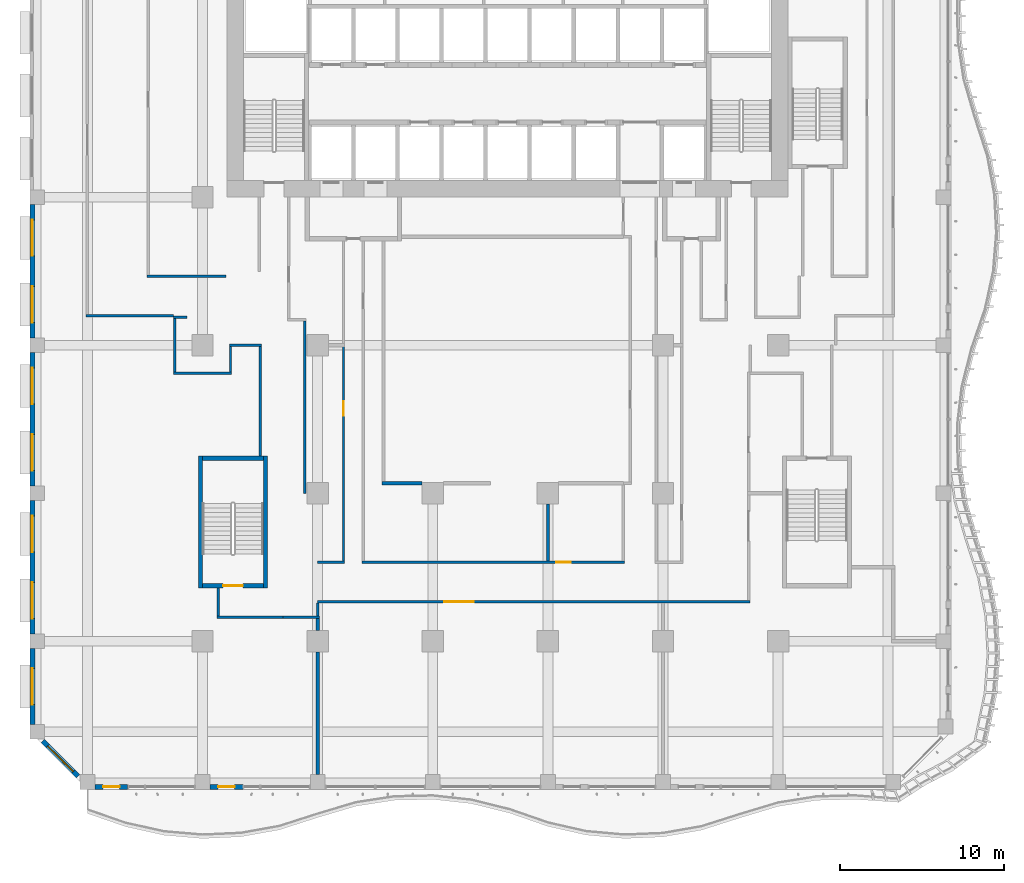
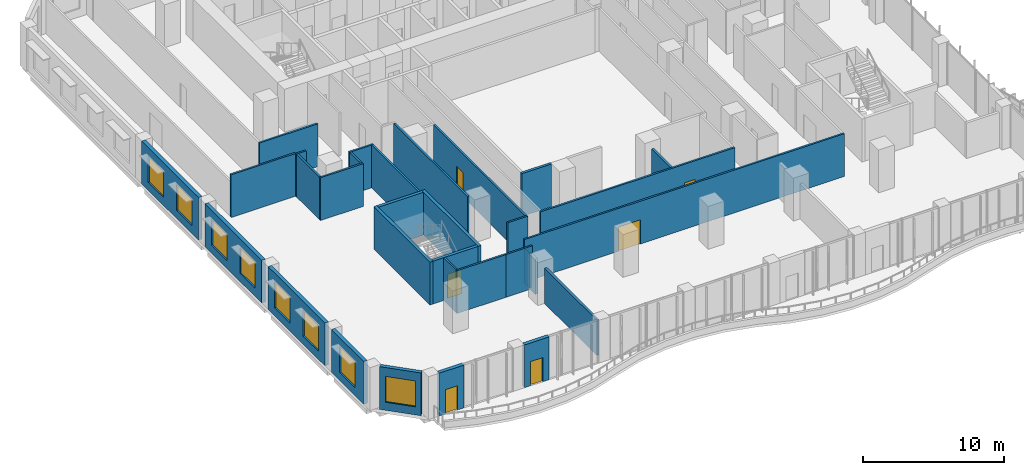
# One storey, part 10 of 27: 32 walls, 8 windows, 6 doors, 14 openings.
"""IFC4 building model written with IfcOpenShell, lengths in metres."""

from ifc_helpers import new_model, si_unit, direction, frame, frame_2d, origin, place, context, subcontext, project, spatial, rectangle, extrude, source, transform, mapped, material, layer, layer_set, type_object, element, fill, save


model = new_model("IFC4")

# Units and contexts
model_context = context("Model", 3, precision=1e-05, world=origin(), true_north=direction((0.0, 1.0)))
body_context = subcontext(model_context, "Body", "Model", "MODEL_VIEW")
ifc_project = project(units=[si_unit("LENGTHUNIT", "METRE"), si_unit("AREAUNIT", "SQUARE_METRE"), si_unit("VOLUMEUNIT", "CUBIC_METRE"), si_unit("PLANEANGLEUNIT", "RADIAN"), si_unit("MASSUNIT", "GRAM", prefix="KILO")], contexts=[model_context])

# Site, building, storey
site_placement = place(None, origin())
site = spatial("IfcSite", under=ifc_project, at=site_placement, CompositionType="ELEMENT")
building_placement = place(site_placement, origin())
building = spatial("IfcBuilding", under=site, at=building_placement, Name="Kilnfold Tower and Market Hall", CompositionType="ELEMENT")
storey_placement = place(building_placement, frame((0.0, 0.0, 47.0)))
storey = spatial("IfcBuildingStorey", under=building, at=storey_placement, Name="L10", CompositionType="ELEMENT", Elevation=47.0)

# Wall
ifc_material_1 = material(Name="Gypsum board on steel studs", Category="steel")
ifc_layer_1 = layer(ifc_material_1, 0.14990234375)
ifc_layer_set_1 = layer_set([ifc_layer_1], Name="Gypsum board on steel studs")
wall_type_1 = type_object("IfcWallType", Name="WALL CORRIDOR 150", PredefinedType="PARTITIONING", material=ifc_layer_set_1)
wall_1_placement = place(storey_placement, frame((-20.875, 3.199951171875, 0.0), z_axis=(0.0, 0.0, 1.0), x_axis=(1.0, 0.0, 0.0)))
element("IfcWall", 1, at=wall_1_placement, inside=storey, type_object=wall_type_1, Name="Partition LY09.2", PredefinedType="PARTITIONING", context=body_context, shape_type="SweptSolid", body=[
    extrude(rectangle(XDim=4.81494140625, YDim=0.14990234375, at=frame_2d((2.407470703125, 0.0))), origin(), (0.0, 0.0, 1.0), 3.719970703125),
])

# Wall, opening, door
wall_2_placement = place(storey_placement, frame((-7.804931640625, -14.199951171875, 0.0), z_axis=(0.0, 0.0, 1.0), x_axis=(1.0, 0.0, 0.0)))
wall_2 = element("IfcWall", 2, at=wall_2_placement, inside=storey, type_object=wall_type_1, Name="Partition LY09.8", PredefinedType="PARTITIONING", context=body_context, shape_type="SweptSolid", body=[
    extrude(rectangle(XDim=15.969970703125, YDim=0.14990234375, at=frame_2d((7.98486328125, 0.0))), origin(), (0.0, 0.0, 1.0), 3.719970703125),
])
opening_1_placement = place(wall_2_placement, frame((11.802001953125, 0.0, 0.0)))
opening_1 = element("IfcOpeningElement", 3, at=opening_1_placement, cuts=wall_2, Name="Opening D2", PredefinedType="OPENING", context=body_context, shape_type="SweptSolid", body=[
    extrude(rectangle(XDim=0.89990234375, YDim=2.10009765625, at=frame_2d((0.449951171875, 1.050048828125))), frame((0.0, 0.0849609375, 0.0), z_axis=(0.0, -1.0, 0.0), x_axis=(1.0, 0.0, 0.0)), (0.0, 0.0, 1.0), 0.169921875),
])
ifc_material_2 = material(Name="Timber veneer door leaf in steel frame", Category="steel")
door_type_1 = type_object("IfcDoorType", Name="DOOR ROOM 900 X2100", OperationType="NOTDEFINED", PredefinedType="DOOR", material=ifc_material_2)
door_1_placement = place(opening_1_placement, origin())
door_1 = element("IfcDoor", 4, at=door_1_placement, inside=storey, type_object=door_type_1, Name="Door D2", OperationType="SINGLE_SWING_LEFT", OverallHeight=2.10009765625, OverallWidth=0.89990234375, PredefinedType="DOOR", context=body_context, shape_type="SweptSolid", body=[
    extrude(rectangle(XDim=0.89990234375, YDim=2.10009765625, at=frame_2d((0.449951171875, 1.050048828125))), frame((0.0, 0.02490234375, 0.0), z_axis=(0.0, -1.0, 0.0), x_axis=(1.0, 0.0, 0.0)), (0.0, 0.0, 1.0), 0.050048828125),
])
fill(opening_1, door_1)

# Walls
wall_3_placement = place(storey_placement, frame((-11.300048828125, -10.010009765625, 0.0), z_axis=(0.0, 0.0, 1.0), x_axis=(0.0, 1.0, 0.0)))
element("IfcWall", 5, at=wall_3_placement, inside=storey, type_object=wall_type_1, Name="Partition LY09.9", PredefinedType="PARTITIONING", context=body_context, shape_type="SweptSolid", body=[
    extrude(rectangle(XDim=10.485107421875, YDim=0.14990234375, at=frame_2d((5.24267578125, 0.0))), origin(), (0.0, 0.0, 1.0), 3.719970703125),
])
wall_4_placement = place(storey_placement, frame((-10.510009765625, -14.199951171875, 0.0), z_axis=(0.0, 0.0, 1.0), x_axis=(1.0, 0.0, 0.0)))
element("IfcWall", 6, at=wall_4_placement, inside=storey, type_object=wall_type_1, Name="Partition LY09.10", PredefinedType="PARTITIONING", context=body_context, shape_type="SweptSolid", body=[
    extrude(rectangle(XDim=1.655029296875, YDim=0.14990234375, at=frame_2d((0.82763671875, 0.0))), origin(), (0.0, 0.0, 1.0), 3.719970703125),
])

# Wall, opening, door
wall_5_placement = place(storey_placement, frame((-8.929931640625, -14.125, 0.0), z_axis=(0.0, 0.0, 1.0), x_axis=(0.0, 1.0, 0.0)))
wall_5 = element("IfcWall", 7, at=wall_5_placement, inside=storey, type_object=wall_type_1, Name="Partition LY09.11", PredefinedType="PARTITIONING", context=body_context, shape_type="SweptSolid", body=[
    extrude(rectangle(XDim=13.034912109375, YDim=0.14990234375, at=frame_2d((6.517578125, 0.0))), origin(), (0.0, 0.0, 1.0), 3.719970703125),
])
opening_2_placement = place(wall_5_placement, frame((8.825927734375, 0.0, 0.0)))
opening_2 = element("IfcOpeningElement", 8, at=opening_2_placement, cuts=wall_5, Name="Opening D2", PredefinedType="OPENING", context=body_context, shape_type="SweptSolid", body=[
    extrude(rectangle(XDim=0.89990234375, YDim=2.10009765625, at=frame_2d((0.449951171875, 1.050048828125))), frame((0.0, 0.0849609375, 0.0), z_axis=(0.0, -1.0, 0.0), x_axis=(1.0, 0.0, 0.0)), (0.0, 0.0, 1.0), 0.169921875),
])
door_2_placement = place(opening_2_placement, origin())
door_2 = element("IfcDoor", 9, at=door_2_placement, inside=storey, type_object=door_type_1, Name="Door D2", OperationType="SINGLE_SWING_RIGHT", OverallHeight=2.10009765625, OverallWidth=0.89990234375, PredefinedType="DOOR", context=body_context, shape_type="SweptSolid", body=[
    extrude(rectangle(XDim=0.89990234375, YDim=2.10009765625, at=frame_2d((0.449951171875, 1.050048828125))), frame((0.0, 0.02490234375, 0.0), z_axis=(0.0, -1.0, 0.0), x_axis=(1.0, 0.0, 0.0)), (0.0, 0.0, 1.0), 0.050048828125),
])
fill(opening_2, door_2)

# Walls
wall_6_placement = place(storey_placement, frame((-16.625, -17.550048828125, 0.0), z_axis=(0.0, 0.0, 1.0), x_axis=(1.0, 0.0, 0.0)))
element("IfcWall", 10, at=wall_6_placement, inside=storey, type_object=wall_type_1, Name="Partition LY09.30", PredefinedType="PARTITIONING", context=body_context, shape_type="SweptSolid", body=[
    extrude(rectangle(XDim=4.02294921875, YDim=0.14990234375, at=frame_2d((2.011474609375, 0.0))), origin(), (0.0, 0.0, 1.0), 3.719970703125),
])
wall_7_placement = place(storey_placement, frame((-16.550048828125, -15.75, 0.0), z_axis=(0.0, 0.0, 1.0), x_axis=(0.0, -1.0, 0.0)))
element("IfcWall", 11, at=wall_7_placement, inside=storey, type_object=wall_type_1, Name="Partition LY09.31", PredefinedType="PARTITIONING", context=body_context, shape_type="SweptSolid", body=[
    extrude(rectangle(XDim=1.72509765625, YDim=0.14990234375, at=frame_2d((0.862548828125, 0.0))), origin(), (0.0, 0.0, 1.0), 3.719970703125),
])
wall_8_placement = place(storey_placement, frame((-14.0, -1.074951171875, 0.0), z_axis=(0.0, 0.0, 1.0), x_axis=(0.0, -1.0, 0.0)))
element("IfcWall", 12, at=wall_8_placement, inside=storey, type_object=wall_type_1, Name="Partition LY09.32", PredefinedType="PARTITIONING", context=body_context, shape_type="SweptSolid", body=[
    extrude(rectangle(XDim=6.675048828125, YDim=0.14990234375, at=frame_2d((3.33740234375, 0.0))), origin(), (0.0, 0.0, 1.0), 3.719970703125),
])
wall_9_placement = place(storey_placement, frame((-15.875, -1.0, 0.0), z_axis=(0.0, 0.0, 1.0), x_axis=(1.0, 0.0, 0.0)))
element("IfcWall", 13, at=wall_9_placement, inside=storey, type_object=wall_type_1, Name="Partition LY09.33", PredefinedType="PARTITIONING", context=body_context, shape_type="SweptSolid", body=[
    extrude(rectangle(XDim=1.949951171875, YDim=0.14990234375, at=frame_2d((0.97509765625, 0.0))), origin(), (0.0, 0.0, 1.0), 3.719970703125),
])
wall_10_placement = place(storey_placement, frame((-15.800048828125, -2.625, 0.0), z_axis=(0.0, 0.0, 1.0), x_axis=(0.0, 1.0, 0.0)))
element("IfcWall", 14, at=wall_10_placement, inside=storey, type_object=wall_type_1, Name="Partition LY09.34", PredefinedType="PARTITIONING", context=body_context, shape_type="SweptSolid", body=[
    extrude(rectangle(XDim=1.550048828125, YDim=0.14990234375, at=frame_2d((0.77490234375, 0.0))), origin(), (0.0, 0.0, 1.0), 3.719970703125),
])
wall_11_placement = place(storey_placement, frame((-19.27490234375, -2.699951171875, 0.0), z_axis=(0.0, 0.0, 1.0), x_axis=(1.0, 0.0, 0.0)))
element("IfcWall", 15, at=wall_11_placement, inside=storey, type_object=wall_type_1, Name="Partition LY09.35", PredefinedType="PARTITIONING", context=body_context, shape_type="SweptSolid", body=[
    extrude(rectangle(XDim=3.5498046875, YDim=0.14990234375, at=frame_2d((1.77490234375, 0.0))), origin(), (0.0, 0.0, 1.0), 3.719970703125),
])
wall_12_placement = place(storey_placement, frame((-19.199951171875, 0.625, 0.0), z_axis=(0.0, 0.0, 1.0), x_axis=(0.0, -1.0, 0.0)))
element("IfcWall", 16, at=wall_12_placement, inside=storey, type_object=wall_type_1, Name="Partition LY09.36", PredefinedType="PARTITIONING", context=body_context, shape_type="SweptSolid", body=[
    extrude(rectangle(XDim=3.25, YDim=0.14990234375, at=frame_2d((1.625, 0.0))), origin(), (0.0, 0.0, 1.0), 3.719970703125),
])
wall_13_placement = place(storey_placement, frame((-19.27490234375, 0.699951171875, 0.0), z_axis=(0.0, 0.0, 1.0), x_axis=(1.0, 0.0, 0.0)))
element("IfcWall", 17, at=wall_13_placement, inside=storey, type_object=wall_type_1, Name="Partition LY09.37", PredefinedType="PARTITIONING", context=body_context, shape_type="SweptSolid", body=[
    extrude(rectangle(XDim=0.81494140625, YDim=0.14990234375, at=frame_2d((0.407470703125, 0.0))), origin(), (0.0, 0.0, 1.0), 3.719970703125),
])
wall_14_placement = place(storey_placement, frame((-24.574951171875, 0.800048828125, 0.0), z_axis=(0.0, 0.0, 1.0), x_axis=(1.0, 0.0, 0.0)))
element("IfcWall", 18, at=wall_14_placement, inside=storey, type_object=wall_type_1, Name="Partition LY09.38", PredefinedType="PARTITIONING", context=body_context, shape_type="SweptSolid", body=[
    extrude(rectangle(XDim=5.300048828125, YDim=0.14990234375, at=frame_2d((2.64990234375, 0.0))), origin(), (0.0, 0.0, 1.0), 3.719970703125),
])
wall_15_placement = place(storey_placement, frame((-12.60205078125, -17.552001953125, 0.0), z_axis=(0.0, 0.0, 1.0), x_axis=(1.0, 0.0, 0.0)))
element("IfcWall", 19, at=wall_15_placement, inside=storey, type_object=wall_type_1, Name="Partition LY09.40", PredefinedType="PARTITIONING", context=body_context, shape_type="SweptSolid", body=[
    extrude(rectangle(XDim=2.2041015625, YDim=0.14990234375, at=frame_2d((1.10205078125, 0.0))), origin(), (0.0, 0.0, 1.0), 3.719970703125),
])

# Wall, opening, door
wall_16_placement = place(storey_placement, frame((-10.510009765625, -16.60009765625, 0.0), z_axis=(0.0, 0.0, 1.0), x_axis=(1.0, 0.0, 0.0)))
wall_16 = element("IfcWall", 20, at=wall_16_placement, inside=storey, type_object=wall_type_1, Name="Partition LY09.41", PredefinedType="PARTITIONING", context=body_context, shape_type="SweptSolid", body=[
    extrude(rectangle(XDim=26.284912109375, YDim=0.14990234375, at=frame_2d((13.142578125, 0.0))), origin(), (0.0, 0.0, 1.0), 3.719970703125),
])
opening_3_placement = place(wall_16_placement, frame((7.7080078125, 0.0, 0.0)))
opening_3 = element("IfcOpeningElement", 21, at=opening_3_placement, cuts=wall_16, Name="Opening D5", PredefinedType="OPENING", context=body_context, shape_type="SweptSolid", body=[
    extrude(rectangle(XDim=1.800048828125, YDim=2.10009765625, at=frame_2d((0.89990234375, 1.050048828125))), frame((0.0, 0.0849609375, 0.0), z_axis=(0.0, -1.0, 0.0), x_axis=(1.0, 0.0, 0.0)), (0.0, 0.0, 1.0), 0.169921875),
])
ifc_material_3 = material(Name="Timber veneer door leaf in steel frame", Category="steel")
door_type_2 = type_object("IfcDoorType", Name="DOOR DOUBLE 1800 X2100", OperationType="NOTDEFINED", PredefinedType="DOOR", material=ifc_material_3)
door_3_placement = place(opening_3_placement, origin())
door_3 = element("IfcDoor", 22, at=door_3_placement, inside=storey, type_object=door_type_2, Name="Door D5", OperationType="DOUBLE_DOOR_SINGLE_SWING", OverallHeight=2.10009765625, OverallWidth=1.800048828125, PredefinedType="DOOR", context=body_context, shape_type="SweptSolid", body=[
    extrude(rectangle(XDim=1.800048828125, YDim=2.10009765625, at=frame_2d((0.89990234375, 1.050048828125))), frame((0.0, 0.02490234375, 0.0), z_axis=(0.0, -1.0, 0.0), x_axis=(1.0, 0.0, 0.0)), (0.0, 0.0, 1.0), 0.050048828125),
])
fill(opening_3, door_3)

# Walls
wall_17_placement = place(storey_placement, frame((-10.498046875, -17.47705078125, 0.0), z_axis=(0.0, 0.0, 1.0), x_axis=(0.0, 1.0, 0.0)))
element("IfcWall", 23, at=wall_17_placement, inside=storey, type_object=wall_type_1, Name="Partition LY09.42", PredefinedType="PARTITIONING", context=body_context, shape_type="SweptSolid", body=[
    extrude(rectangle(XDim=0.802001953125, YDim=0.14990234375, at=frame_2d((0.40087890625, 0.0))), origin(), (0.0, 0.0, 1.0), 3.070068359375),
])
ifc_material_4 = material(Name="Gypsum board on steel studs", Category="steel")
ifc_layer_2 = layer(ifc_material_4, 0.199951171875)
ifc_layer_set_2 = layer_set([ifc_layer_2], Name="Gypsum board on steel studs")
wall_type_2 = type_object("IfcWallType", Name="WALL PARTY 200", PredefinedType="PARTITIONING", material=ifc_layer_set_2)
wall_18_placement = place(storey_placement, frame((3.5, -14.1240234375, 0.0), z_axis=(0.0, 0.0, 1.0), x_axis=(0.0, 1.0, 0.0)))
element("IfcWall", 24, at=wall_18_placement, inside=storey, type_object=wall_type_2, Name="Partition LY09.61", PredefinedType="PARTITIONING", context=body_context, shape_type="SweptSolid", body=[
    extrude(rectangle(XDim=3.47412109375, YDim=0.199951171875, at=frame_2d((1.737060546875, 0.0))), origin(), (0.0, 0.0, 1.0), 3.070068359375),
])
wall_19_placement = place(storey_placement, frame((-6.60009765625, -9.39990234375, 0.0), z_axis=(0.0, 0.0, 1.0), x_axis=(1.0, 0.0, 0.0)))
element("IfcWall", 25, at=wall_19_placement, inside=storey, type_object=wall_type_2, Name="Partition LY09.63", PredefinedType="PARTITIONING", context=body_context, shape_type="SweptSolid", body=[
    extrude(rectangle(XDim=2.4501953125, YDim=0.199951171875, at=frame_2d((1.22509765625, 0.0))), origin(), (0.0, 0.0, 1.0), 3.719970703125),
])
wall_20_placement = place(storey_placement, frame((-10.5, -18.35009765625, 0.0), z_axis=(0.0, 0.0, 1.0), x_axis=(0.0, 1.0, 0.0)))
element("IfcWall", 26, at=wall_20_placement, inside=storey, type_object=wall_type_2, Name="Partition LY09.67", PredefinedType="PARTITIONING", context=body_context, shape_type="SweptSolid", body=[
    extrude(rectangle(XDim=0.72314453125, YDim=0.199951171875, at=frame_2d((0.361572265625, 0.0))), origin(), (0.0, 0.0, 1.0), 3.070068359375),
])
wall_21_placement = place(storey_placement, frame((-10.5, -27.10009765625, 0.0), z_axis=(0.0, 0.0, 1.0), x_axis=(0.0, 1.0, 0.0)))
element("IfcWall", 27, at=wall_21_placement, inside=storey, type_object=wall_type_2, Name="Partition LY09.68", PredefinedType="PARTITIONING", context=body_context, shape_type="SweptSolid", body=[
    extrude(rectangle(XDim=7.4501953125, YDim=0.199951171875, at=frame_2d((3.72509765625, 0.0))), origin(), (0.0, 0.0, 1.0), 3.070068359375),
])

# Wall, opening, door
ifc_material_5 = material(Name="Concrete C80", Category="concrete")
ifc_layer_3 = layer(ifc_material_5, 0.25)
ifc_layer_set_3 = layer_set([ifc_layer_3], Name="Concrete C80")
wall_type_3 = type_object("IfcWallType", Name="CORE WALL 250 C80", PredefinedType="SHEAR", material=ifc_layer_set_3)
shared_shape_1 = source(origin(), body_context, "Body", "SweptSolid", [
    extrude(rectangle(XDim=3.699951171875, YDim=0.25, at=frame_2d((1.85009765625, 0.0))), origin(), (0.0, 0.0, 1.0), 3.719970703125),
])
wall_22_placement = place(storey_placement, frame((-17.5, -15.625, 0.0), z_axis=(0.0, 0.0, 1.0), x_axis=(1.0, 0.0, 0.0)))
wall_22 = element("IfcWall", 28, at=wall_22_placement, inside=storey, type_object=wall_type_3, Name="Stair enclosure ST3", PredefinedType="SHEAR", context=body_context, shape_type="MappedRepresentation", body=[
    mapped(shared_shape_1, transform((0.0, 0.0, 0.0))),
])
opening_4_placement = place(wall_22_placement, frame((1.25, 0.0, 0.0)))
opening_4 = element("IfcOpeningElement", 29, at=opening_4_placement, cuts=wall_22, Name="Opening SD1", PredefinedType="OPENING", context=body_context, shape_type="SweptSolid", body=[
    extrude(rectangle(XDim=1.199951171875, YDim=2.10009765625, at=frame_2d((0.60009765625, 1.050048828125))), frame((0.0, 0.135009765625, 0.0), z_axis=(0.0, -1.0, 0.0), x_axis=(1.0, 0.0, 0.0)), (0.0, 0.0, 1.0), 0.27001953125),
])
ifc_material_6 = material(Name="Steel door set with fire-resisting leaf", Category="steel")
door_type_3 = type_object("IfcDoorType", Name="STAIR FLOOR DOOR 1200X2100", OperationType="NOTDEFINED", PredefinedType="DOOR", material=ifc_material_6)
door_4_placement = place(opening_4_placement, origin())
door_4 = element("IfcDoor", 30, at=door_4_placement, inside=storey, type_object=door_type_3, Name="Exit stair ST3 door", OperationType="DOUBLE_DOOR_SINGLE_SWING", OverallHeight=2.10009765625, OverallWidth=1.199951171875, PredefinedType="DOOR", context=body_context, shape_type="SweptSolid", body=[
    extrude(rectangle(XDim=1.199951171875, YDim=2.10009765625, at=frame_2d((0.60009765625, 1.050048828125))), frame((0.0, 0.02490234375, 0.0), z_axis=(0.0, -1.0, 0.0), x_axis=(1.0, 0.0, 0.0)), (0.0, 0.0, 1.0), 0.050048828125),
])
fill(opening_4, door_4)

# Walls
wall_23_placement = place(storey_placement, frame((-17.5, -7.875, 0.0), z_axis=(0.0, 0.0, 1.0), x_axis=(1.0, 0.0, 0.0)))
element("IfcWall", 31, at=wall_23_placement, inside=storey, type_object=wall_type_3, Name="Stair enclosure ST3", PredefinedType="SHEAR", context=body_context, shape_type="MappedRepresentation", body=[
    mapped(shared_shape_1, transform((0.0, 0.0, 0.0))),
])
shared_shape_2 = source(origin(), body_context, "Body", "SweptSolid", [
    extrude(rectangle(XDim=8.0, YDim=0.25, at=frame_2d((4.0, 0.0))), origin(), (0.0, 0.0, 1.0), 3.719970703125),
])
for number, where, z_axis, x_axis, name in (
    (32, (-17.625, -15.75, 0.0), (0.0, 0.0, 1.0), (0.0, 1.0, 0.0), "Stair enclosure ST3"),
    (33, (-13.675048828125, -15.75, 0.0), (0.0, 0.0, 1.0), (0.0, 1.0, 0.0), "Stair enclosure ST3"),
):
    element("IfcWall", number, at=place(storey_placement, frame(where, z_axis=z_axis, x_axis=x_axis)), inside=storey, type_object=wall_type_3, Name=name, PredefinedType="SHEAR", context=body_context, shape_type="MappedRepresentation", body=[
        mapped(shared_shape_2, transform((0.0, 0.0, 0.0))),
    ])

# Wall, opening, door
ifc_material_7 = material(Name="Precast concrete C50/60", Category="concrete")
ifc_layer_4 = layer(ifc_material_7, 0.300048828125)
ifc_layer_set_4 = layer_set([ifc_layer_4], Name="Precast concrete C50/60")
wall_type_4 = type_object("IfcWallType", Name="PRECAST WALL 300", PredefinedType="SOLIDWALL", material=ifc_layer_set_4)
shared_shape_3 = source(origin(), body_context, "Body", "SweptSolid", [
    extrude(rectangle(XDim=2.0, YDim=0.300048828125, at=frame_2d((1.0, 0.0))), origin(), (0.0, 0.0, 1.0), 3.719970703125),
])
wall_24_placement = place(storey_placement, frame((-24.050048828125, -27.85009765625, 0.0), z_axis=(0.0, 0.0, 1.0), x_axis=(1.0, 0.0, 0.0)))
wall_24 = element("IfcWall", 34, at=wall_24_placement, inside=storey, type_object=wall_type_4, Name="External wall L10 S", PredefinedType="SOLIDWALL", context=body_context, shape_type="MappedRepresentation", body=[
    mapped(shared_shape_3, transform((0.0, 0.0, 0.0))),
])
opening_5_placement = place(wall_24_placement, frame((0.5, 0.0, 0.0)))
opening_5 = element("IfcOpeningElement", 35, at=opening_5_placement, cuts=wall_24, Name="Opening BD1", PredefinedType="OPENING", context=body_context, shape_type="SweptSolid", body=[
    extrude(rectangle(XDim=1.0, YDim=2.10009765625, at=frame_2d((0.5, 1.050048828125))), frame((0.0, 0.16015625, 0.0), z_axis=(0.0, -1.0, 0.0), x_axis=(1.0, 0.0, 0.0)), (0.0, 0.0, 1.0), 0.320068359375),
])
ifc_material_8 = material(Name="Aluminium frame and double glazing", Category="aluminium")
door_type_4 = type_object("IfcDoorType", Name="BALCONY DOOR 1000X2100", OperationType="NOTDEFINED", PredefinedType="DOOR", material=ifc_material_8)
door_5_placement = place(opening_5_placement, origin())
door_5 = element("IfcDoor", 36, at=door_5_placement, inside=storey, type_object=door_type_4, Name="Balcony door BD1 L10 S-1", OperationType="SINGLE_SWING_LEFT", OverallHeight=2.10009765625, OverallWidth=1.0, PredefinedType="DOOR", context=body_context, shape_type="SweptSolid", body=[
    extrude(rectangle(XDim=1.0, YDim=2.10009765625, at=frame_2d((0.5, 1.050048828125))), frame((0.0, 0.02490234375, 0.0), z_axis=(0.0, -1.0, 0.0), x_axis=(1.0, 0.0, 0.0)), (0.0, 0.0, 1.0), 0.050048828125),
])
fill(opening_5, door_5)

wall_25_placement = place(storey_placement, frame((-17.050048828125, -27.85009765625, 0.0), z_axis=(0.0, 0.0, 1.0), x_axis=(1.0, 0.0, 0.0)))
wall_25 = element("IfcWall", 37, at=wall_25_placement, inside=storey, type_object=wall_type_4, Name="External wall L10 S", PredefinedType="SOLIDWALL", context=body_context, shape_type="MappedRepresentation", body=[
    mapped(shared_shape_3, transform((0.0, 0.0, 0.0))),
])
opening_6_placement = place(wall_25_placement, frame((0.5, 0.0, 0.0)))
opening_6 = element("IfcOpeningElement", 38, at=opening_6_placement, cuts=wall_25, Name="Opening BD1", PredefinedType="OPENING", context=body_context, shape_type="SweptSolid", body=[
    extrude(rectangle(XDim=1.0, YDim=2.10009765625, at=frame_2d((0.5, 1.050048828125))), frame((0.0, 0.16015625, 0.0), z_axis=(0.0, -1.0, 0.0), x_axis=(1.0, 0.0, 0.0)), (0.0, 0.0, 1.0), 0.320068359375),
])
door_6_placement = place(opening_6_placement, origin())
door_6 = element("IfcDoor", 39, at=door_6_placement, inside=storey, type_object=door_type_4, Name="Balcony door BD1 L10 S-1", OperationType="SINGLE_SWING_LEFT", OverallHeight=2.10009765625, OverallWidth=1.0, PredefinedType="DOOR", context=body_context, shape_type="SweptSolid", body=[
    extrude(rectangle(XDim=1.0, YDim=2.10009765625, at=frame_2d((0.5, 1.050048828125))), frame((0.0, 0.02490234375, 0.0), z_axis=(0.0, -1.0, 0.0), x_axis=(1.0, 0.0, 0.0)), (0.0, 0.0, 1.0), 0.050048828125),
])
fill(opening_6, door_6)

# Wall, openings, windows
shared_shape_4 = source(origin(), body_context, "Body", "SweptSolid", [
    extrude(rectangle(XDim=8.10009765625, YDim=0.300048828125, at=frame_2d((4.050048828125, 0.0))), origin(), (0.0, 0.0, 1.0), 3.719970703125),
])
wall_26_placement = place(storey_placement, frame((-27.85009765625, 7.550048828125, 0.0), z_axis=(0.0, 0.0, 1.0), x_axis=(0.0, -1.0, 0.0)))
wall_26 = element("IfcWall", 40, at=wall_26_placement, inside=storey, type_object=wall_type_4, Name="External wall L10 W", PredefinedType="SOLIDWALL", context=body_context, shape_type="MappedRepresentation", body=[
    mapped(shared_shape_4, transform((0.0, 0.0, 0.0))),
])
opening_7_placement = place(wall_26_placement, frame((0.925048828125, 0.0, 0.699951171875)))
opening_7 = element("IfcOpeningElement", 41, at=opening_7_placement, cuts=wall_26, Name="Opening W1", PredefinedType="OPENING", context=body_context, shape_type="SweptSolid", body=[
    extrude(rectangle(XDim=2.199951171875, YDim=2.25, at=frame_2d((1.10009765625, 1.125))), frame((0.0, 0.16015625, 0.0), z_axis=(0.0, -1.0, 0.0), x_axis=(1.0, 0.0, 0.0)), (0.0, 0.0, 1.0), 0.320068359375),
])
opening_8_placement = place(wall_26_placement, frame((4.97509765625, 0.0, 0.699951171875)))
opening_8 = element("IfcOpeningElement", 42, at=opening_8_placement, cuts=wall_26, Name="Opening W1", PredefinedType="OPENING", context=body_context, shape_type="SweptSolid", body=[
    extrude(rectangle(XDim=2.199951171875, YDim=2.25, at=frame_2d((1.10009765625, 1.125))), frame((0.0, 0.16015625, 0.0), z_axis=(0.0, -1.0, 0.0), x_axis=(1.0, 0.0, 0.0)), (0.0, 0.0, 1.0), 0.320068359375),
])
ifc_material_9 = material(Name="Aluminium frame and double glazing", Category="aluminium")
window_type = type_object("IfcWindowType", Name="WINDOW W1 2200X2250", PartitioningType="SINGLE_PANEL", PredefinedType="WINDOW", material=ifc_material_9)
window_1_placement = place(opening_7_placement, origin())
window_1 = element("IfcWindow", 43, at=window_1_placement, inside=storey, type_object=window_type, Name="Window W1 L10 W-1", OverallHeight=2.25, OverallWidth=2.199951171875, PartitioningType="SINGLE_PANEL", PredefinedType="WINDOW", context=body_context, shape_type="SweptSolid", body=[
    extrude(rectangle(XDim=2.199951171875, YDim=2.25, at=frame_2d((1.10009765625, 1.125))), frame((0.0, 0.030029296875, 0.0), z_axis=(0.0, -1.0, 0.0), x_axis=(1.0, 0.0, 0.0)), (0.0, 0.0, 1.0), 0.06005859375),
])
fill(opening_7, window_1)
window_2_placement = place(opening_8_placement, origin())
window_2 = element("IfcWindow", 44, at=window_2_placement, inside=storey, type_object=window_type, Name="Window W1 L10 W-2", OverallHeight=2.25, OverallWidth=2.199951171875, PartitioningType="SINGLE_PANEL", PredefinedType="WINDOW", context=body_context, shape_type="SweptSolid", body=[
    extrude(rectangle(XDim=2.199951171875, YDim=2.25, at=frame_2d((1.10009765625, 1.125))), frame((0.0, 0.030029296875, 0.0), z_axis=(0.0, -1.0, 0.0), x_axis=(1.0, 0.0, 0.0)), (0.0, 0.0, 1.0), 0.06005859375),
])
fill(opening_8, window_2)

wall_27_placement = place(storey_placement, frame((-27.85009765625, -1.449951171875, 0.0), z_axis=(0.0, 0.0, 1.0), x_axis=(0.0, -1.0, 0.0)))
wall_27 = element("IfcWall", 45, at=wall_27_placement, inside=storey, type_object=wall_type_4, Name="External wall L10 W", PredefinedType="SOLIDWALL", context=body_context, shape_type="MappedRepresentation", body=[
    mapped(shared_shape_4, transform((0.0, 0.0, 0.0))),
])
opening_9_placement = place(wall_27_placement, frame((0.925048828125, 0.0, 0.699951171875)))
opening_9 = element("IfcOpeningElement", 46, at=opening_9_placement, cuts=wall_27, Name="Opening W1", PredefinedType="OPENING", context=body_context, shape_type="SweptSolid", body=[
    extrude(rectangle(XDim=2.199951171875, YDim=2.25, at=frame_2d((1.10009765625, 1.125))), frame((0.0, 0.16015625, 0.0), z_axis=(0.0, -1.0, 0.0), x_axis=(1.0, 0.0, 0.0)), (0.0, 0.0, 1.0), 0.320068359375),
])
opening_10_placement = place(wall_27_placement, frame((4.97509765625, 0.0, 0.699951171875)))
opening_10 = element("IfcOpeningElement", 47, at=opening_10_placement, cuts=wall_27, Name="Opening W1", PredefinedType="OPENING", context=body_context, shape_type="SweptSolid", body=[
    extrude(rectangle(XDim=2.199951171875, YDim=2.25, at=frame_2d((1.10009765625, 1.125))), frame((0.0, 0.16015625, 0.0), z_axis=(0.0, -1.0, 0.0), x_axis=(1.0, 0.0, 0.0)), (0.0, 0.0, 1.0), 0.320068359375),
])
window_3_placement = place(opening_9_placement, origin())
window_3 = element("IfcWindow", 48, at=window_3_placement, inside=storey, type_object=window_type, Name="Window W1 L10 W-1", OverallHeight=2.25, OverallWidth=2.199951171875, PartitioningType="SINGLE_PANEL", PredefinedType="WINDOW", context=body_context, shape_type="SweptSolid", body=[
    extrude(rectangle(XDim=2.199951171875, YDim=2.25, at=frame_2d((1.10009765625, 1.125))), frame((0.0, 0.030029296875, 0.0), z_axis=(0.0, -1.0, 0.0), x_axis=(1.0, 0.0, 0.0)), (0.0, 0.0, 1.0), 0.06005859375),
])
fill(opening_9, window_3)
window_4_placement = place(opening_10_placement, origin())
window_4 = element("IfcWindow", 49, at=window_4_placement, inside=storey, type_object=window_type, Name="Window W1 L10 W-2", OverallHeight=2.25, OverallWidth=2.199951171875, PartitioningType="SINGLE_PANEL", PredefinedType="WINDOW", context=body_context, shape_type="SweptSolid", body=[
    extrude(rectangle(XDim=2.199951171875, YDim=2.25, at=frame_2d((1.10009765625, 1.125))), frame((0.0, 0.030029296875, 0.0), z_axis=(0.0, -1.0, 0.0), x_axis=(1.0, 0.0, 0.0)), (0.0, 0.0, 1.0), 0.06005859375),
])
fill(opening_10, window_4)

wall_28_placement = place(storey_placement, frame((-27.85009765625, -10.449951171875, 0.0), z_axis=(0.0, 0.0, 1.0), x_axis=(0.0, -1.0, 0.0)))
wall_28 = element("IfcWall", 50, at=wall_28_placement, inside=storey, type_object=wall_type_4, Name="External wall L10 W", PredefinedType="SOLIDWALL", context=body_context, shape_type="MappedRepresentation", body=[
    mapped(shared_shape_4, transform((0.0, 0.0, 0.0))),
])
opening_11_placement = place(wall_28_placement, frame((0.925048828125, 0.0, 0.699951171875)))
opening_11 = element("IfcOpeningElement", 51, at=opening_11_placement, cuts=wall_28, Name="Opening W1", PredefinedType="OPENING", context=body_context, shape_type="SweptSolid", body=[
    extrude(rectangle(XDim=2.199951171875, YDim=2.25, at=frame_2d((1.10009765625, 1.125))), frame((0.0, 0.16015625, 0.0), z_axis=(0.0, -1.0, 0.0), x_axis=(1.0, 0.0, 0.0)), (0.0, 0.0, 1.0), 0.320068359375),
])
opening_12_placement = place(wall_28_placement, frame((4.97509765625, 0.0, 0.699951171875)))
opening_12 = element("IfcOpeningElement", 52, at=opening_12_placement, cuts=wall_28, Name="Opening W1", PredefinedType="OPENING", context=body_context, shape_type="SweptSolid", body=[
    extrude(rectangle(XDim=2.199951171875, YDim=2.25, at=frame_2d((1.10009765625, 1.125))), frame((0.0, 0.16015625, 0.0), z_axis=(0.0, -1.0, 0.0), x_axis=(1.0, 0.0, 0.0)), (0.0, 0.0, 1.0), 0.320068359375),
])
window_5_placement = place(opening_11_placement, origin())
window_5 = element("IfcWindow", 53, at=window_5_placement, inside=storey, type_object=window_type, Name="Window W1 L10 W-1", OverallHeight=2.25, OverallWidth=2.199951171875, PartitioningType="SINGLE_PANEL", PredefinedType="WINDOW", context=body_context, shape_type="SweptSolid", body=[
    extrude(rectangle(XDim=2.199951171875, YDim=2.25, at=frame_2d((1.10009765625, 1.125))), frame((0.0, 0.030029296875, 0.0), z_axis=(0.0, -1.0, 0.0), x_axis=(1.0, 0.0, 0.0)), (0.0, 0.0, 1.0), 0.06005859375),
])
fill(opening_11, window_5)
window_6_placement = place(opening_12_placement, origin())
window_6 = element("IfcWindow", 54, at=window_6_placement, inside=storey, type_object=window_type, Name="Window W1 L10 W-2", OverallHeight=2.25, OverallWidth=2.199951171875, PartitioningType="SINGLE_PANEL", PredefinedType="WINDOW", context=body_context, shape_type="SweptSolid", body=[
    extrude(rectangle(XDim=2.199951171875, YDim=2.25, at=frame_2d((1.10009765625, 1.125))), frame((0.0, 0.030029296875, 0.0), z_axis=(0.0, -1.0, 0.0), x_axis=(1.0, 0.0, 0.0)), (0.0, 0.0, 1.0), 0.06005859375),
])
fill(opening_12, window_6)

# Wall, opening, window
shared_shape_5 = source(origin(), body_context, "Body", "SweptSolid", [
    extrude(rectangle(XDim=4.60009765625, YDim=0.300048828125, at=frame_2d((2.300048828125, 0.0))), origin(), (0.0, 0.0, 1.0), 3.719970703125),
])
wall_29_placement = place(storey_placement, frame((-27.85009765625, -19.449951171875, 0.0), z_axis=(0.0, 0.0, 1.0), x_axis=(0.0, -1.0, 0.0)))
wall_29 = element("IfcWall", 55, at=wall_29_placement, inside=storey, type_object=wall_type_4, Name="External wall L10 W", PredefinedType="SOLIDWALL", context=body_context, shape_type="MappedRepresentation", body=[
    mapped(shared_shape_5, transform((0.0, 0.0, 0.0))),
])
opening_13_placement = place(wall_29_placement, frame((1.199951171875, 0.0, 0.699951171875)))
opening_13 = element("IfcOpeningElement", 56, at=opening_13_placement, cuts=wall_29, Name="Opening W1", PredefinedType="OPENING", context=body_context, shape_type="SweptSolid", body=[
    extrude(rectangle(XDim=2.199951171875, YDim=2.25, at=frame_2d((1.10009765625, 1.125))), frame((0.0, 0.16015625, 0.0), z_axis=(0.0, -1.0, 0.0), x_axis=(1.0, 0.0, 0.0)), (0.0, 0.0, 1.0), 0.320068359375),
])
window_7_placement = place(opening_13_placement, origin())
window_7 = element("IfcWindow", 57, at=window_7_placement, inside=storey, type_object=window_type, Name="Window W1 L10 W-1", OverallHeight=2.25, OverallWidth=2.199951171875, PartitioningType="SINGLE_PANEL", PredefinedType="WINDOW", context=body_context, shape_type="SweptSolid", body=[
    extrude(rectangle(XDim=2.199951171875, YDim=2.25, at=frame_2d((1.10009765625, 1.125))), frame((0.0, 0.030029296875, 0.0), z_axis=(0.0, -1.0, 0.0), x_axis=(1.0, 0.0, 0.0)), (0.0, 0.0, 1.0), 0.06005859375),
])
fill(opening_13, window_7)

shared_shape_6 = source(origin(), body_context, "Body", "SweptSolid", [
    extrude(rectangle(XDim=3.040771484375, YDim=0.300048828125, at=frame_2d((1.5205078125, 0.0))), origin(), (0.0, 0.0, 1.0), 3.719970703125),
])
wall_30_placement = place(storey_placement, frame((-27.218994140625, -25.06884765625, 0.0), z_axis=(0.0, 0.0, 1.0), x_axis=(0.707106781187, -0.707106781187, 0.0)))
wall_30 = element("IfcWall", 58, at=wall_30_placement, inside=storey, type_object=wall_type_4, Name="External wall L10 SW", PredefinedType="SOLIDWALL", context=body_context, shape_type="MappedRepresentation", body=[
    mapped(shared_shape_6, transform((0.0, 0.0, 0.0))),
])
opening_14_placement = place(wall_30_placement, frame((0.42041015625, 0.0, 0.699951171875)))
opening_14 = element("IfcOpeningElement", 59, at=opening_14_placement, cuts=wall_30, Name="Opening W1", PredefinedType="OPENING", context=body_context, shape_type="SweptSolid", body=[
    extrude(rectangle(XDim=2.199951171875, YDim=2.25, at=frame_2d((1.10009765625, 1.125))), frame((0.0, 0.16015625, 0.0), z_axis=(0.0, -1.0, 0.0), x_axis=(1.0, 0.0, 0.0)), (0.0, 0.0, 1.0), 0.320068359375),
])
window_8_placement = place(opening_14_placement, origin())
window_8 = element("IfcWindow", 60, at=window_8_placement, inside=storey, type_object=window_type, Name="Window W1 L10 SW-1", OverallHeight=2.25, OverallWidth=2.199951171875, PartitioningType="SINGLE_PANEL", PredefinedType="WINDOW", context=body_context, shape_type="SweptSolid", body=[
    extrude(rectangle(XDim=2.199951171875, YDim=2.25, at=frame_2d((1.10009765625, 1.125))), frame((0.0, 0.030029296875, 0.0), z_axis=(0.0, -1.0, 0.0), x_axis=(1.0, 0.0, 0.0)), (0.0, 0.0, 1.0), 0.06005859375),
])
fill(opening_14, window_8)

save(model, "model.ifc")
